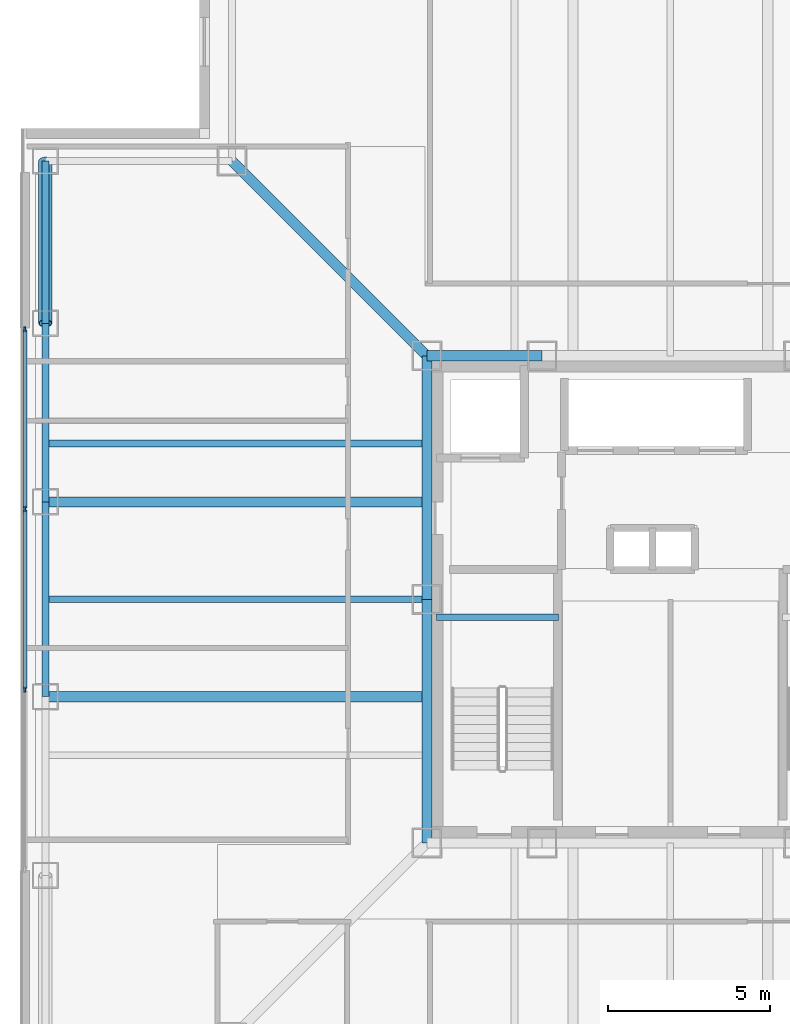
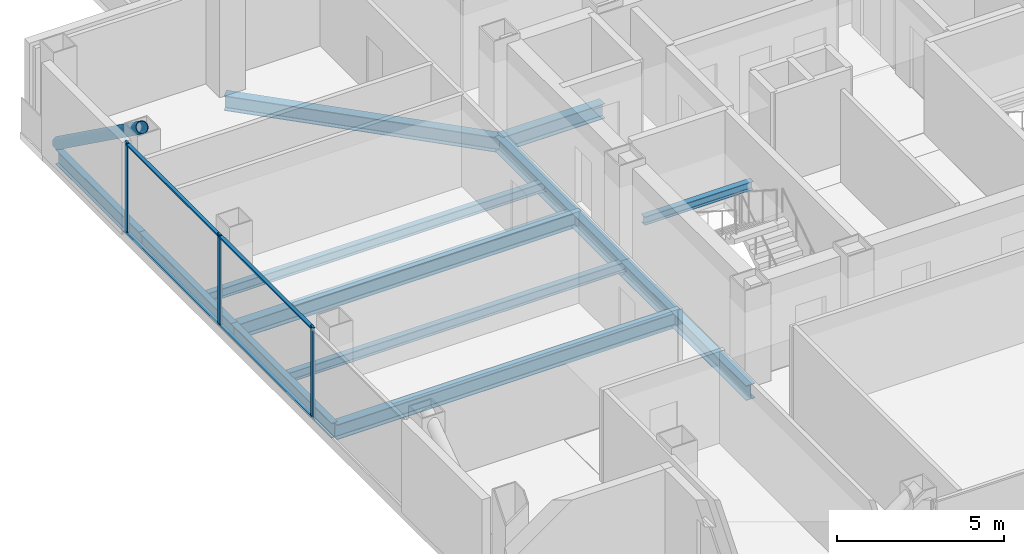
# One storey, part 4 of 16: 12 beams, 8 members, 1 element without a shape of its own.
"""IFC4 building model written with IfcOpenShell, lengths in metres."""

import ifcopenshell
import ifcopenshell.guid

model = None  # the IFC model being written
_history = None  # IfcOwnerHistory: only IFC2X3 demands one
_inside = {}  # id of a spatial element -> (the spatial element, [elements in it])
_under = {}  # id of a project, library or spatial element -> (it, [spatial elements below it])
_declared = {}  # id of a project -> (the project, [libraries it declares])
_typed = {}  # id of a type object -> (the type object, [elements of that type])
_made_of = {}  # id of a material, layer set ... -> (it, [elements and type objects made of it])


def new_model(schema):
    """Start an empty IFC model of exactly this schema.

    Asked for "IFC4X3", IfcOpenShell would pick the latest addendum, in which some entities
    have other attributes; the version numbers below select the first issue.
    IFC2X3 requires an IfcOwnerHistory on every rooted entity: one is made here for all.
    """
    global model, _history
    if schema == "IFC4X3":
        model = ifcopenshell.file(schema_version=(4, 3, 0, 0))
    else:
        model = ifcopenshell.file(schema=schema)
    _inside.clear()
    _under.clear()
    _declared.clear()
    _typed.clear()
    _made_of.clear()
    _history = None
    if model.schema == "IFC2X3":
        org = make("IfcOrganization", Name="unknown")
        user = make(
            "IfcPersonAndOrganization",
            ThePerson=make("IfcPerson", FamilyName="unknown"),
            TheOrganization=org,
        )
        app = make(
            "IfcApplication",
            ApplicationDeveloper=org,
            Version="unknown",
            ApplicationFullName="unknown",
            ApplicationIdentifier="unknown",
        )
        _history = make(
            "IfcOwnerHistory",
            OwningUser=user,
            OwningApplication=app,
            ChangeAction="ADDED",
            CreationDate=0,
        )
    return model


def make(cls, **values):
    """One entity of the class cls with the attributes given. An attribute that is None is left unset."""
    return model.create_entity(
        cls, **{name: value for name, value in values.items() if value is not None}
    )


def rooted(cls, **values):
    """An entity with a GlobalId (a new one), such as an element, a storey or a relation."""
    return make(cls, GlobalId=ifcopenshell.guid.new(), OwnerHistory=_history, **values)


def si_unit(unit_type, name, prefix=None):
    """IfcSIUnit, for example si_unit("LENGTHUNIT", "METRE", prefix="MILLI")."""
    return make("IfcSIUnit", UnitType=unit_type, Prefix=prefix, Name=name)


def assignment(units):
    """IfcUnitAssignment: the units of a project."""
    return None if units is None else make("IfcUnitAssignment", Units=units)


def point(xyz):
    """IfcCartesianPoint."""
    return None if xyz is None else make("IfcCartesianPoint", Coordinates=xyz)


def direction(xyz):
    """IfcDirection."""
    return None if xyz is None else make("IfcDirection", DirectionRatios=xyz)


def frame(location, z_axis=None, x_axis=None):
    """IfcAxis2Placement3D, a coordinate frame: its origin and axes. An axis left out is left unset."""
    return make(
        "IfcAxis2Placement3D",
        Location=point(location),
        Axis=direction(z_axis),
        RefDirection=direction(x_axis),
    )


def frame_2d(location, x_axis=None):
    """IfcAxis2Placement2D, a coordinate frame in the plane: its origin and x axis."""
    return make(
        "IfcAxis2Placement2D", Location=point(location), RefDirection=direction(x_axis)
    )


def origin():
    """The frame at (0, 0, 0) with its axes left unset."""
    return frame((0.0, 0.0, 0.0))


def origin_2d():
    """The frame at (0, 0) in the plane with its x axis left unset."""
    return frame_2d((0.0, 0.0))


def place(relative_to, where):
    """IfcLocalPlacement: puts the frame where relative to a parent placement (None: the world)."""
    return make(
        "IfcLocalPlacement", PlacementRelTo=relative_to, RelativePlacement=where
    )


def context(
    kind, dimensions, precision=None, world=None, true_north=None, identifier=None
):
    """IfcGeometricRepresentationContext, for example the 3D "Model" context."""
    return make(
        "IfcGeometricRepresentationContext",
        ContextIdentifier=identifier,
        ContextType=kind,
        CoordinateSpaceDimension=dimensions,
        Precision=precision,
        WorldCoordinateSystem=world,
        TrueNorth=true_north,
    )


def subcontext(parent, identifier, kind, view, scale=None):
    """IfcGeometricRepresentationSubContext, for example "Body" below "Model"."""
    return make(
        "IfcGeometricRepresentationSubContext",
        ContextIdentifier=identifier,
        ContextType=kind,
        ParentContext=parent,
        TargetScale=scale,
        TargetView=view,
    )


def project(units=None, contexts=None):
    """IfcProject with its units and contexts."""
    return rooted(
        "IfcProject",
        Name="project",
        RepresentationContexts=contexts,
        UnitsInContext=assignment(units),
    )


def spatial(cls, under=None, at=None, **own):
    """A site, building, storey or space (cls), placed at a placement, below another one or the project."""
    s = rooted(cls, ObjectPlacement=at, **own)
    if under is not None:
        _under.setdefault(under.id(), (under, []))[1].append(s)
    return s


def profile(cls, at=None, kind="AREA", **sizes):
    """A parametric profile (cls). Its sizes go by their IFC names, for example OverallWidth=200.0."""
    return make(cls, ProfileType=kind, Position=at, **sizes)


def rectangle(**sizes):
    """IfcRectangleProfileDef."""
    return profile("IfcRectangleProfileDef", **sizes)


def hollow_circle(**sizes):
    """IfcCircleHollowProfileDef."""
    return profile("IfcCircleHollowProfileDef", **sizes)


def i_section(**sizes):
    """IfcIShapeProfileDef."""
    return profile("IfcIShapeProfileDef", **sizes)


def extrude(swept, where, along, depth):
    """IfcExtrudedAreaSolid: the profile swept, set in the frame where, extruded along a direction by depth."""
    return make(
        "IfcExtrudedAreaSolid",
        SweptArea=swept,
        Position=where,
        ExtrudedDirection=direction(along),
        Depth=depth,
    )


def shape(context_of_items, identifier, shape_type, items):
    """IfcShapeRepresentation: the items that make up one representation, for example the "Body"."""
    return make(
        "IfcShapeRepresentation",
        ContextOfItems=context_of_items,
        RepresentationIdentifier=identifier,
        RepresentationType=shape_type,
        Items=items,
    )


def material(Name=None, Category=None):
    """IfcMaterial."""
    return make("IfcMaterial", Name=Name, Category=Category)


def layer(
    of_material, thickness, ventilated=None, Name=None, Category=None, Priority=None
):
    """IfcMaterialLayer: one layer of a wall or slab, of a material (None: an air gap)."""
    return make(
        "IfcMaterialLayer",
        Material=of_material,
        LayerThickness=thickness,
        IsVentilated=ventilated,
        Name=Name,
        Category=Category,
        Priority=Priority,
    )


def layer_set(layers, Name=None):
    """IfcMaterialLayerSet."""
    return make("IfcMaterialLayerSet", MaterialLayers=layers, LayerSetName=Name)


def material_profile(
    of_material, cross_section, Name=None, Category=None, Priority=None
):
    """IfcMaterialProfile: a cross section and its material."""
    return make(
        "IfcMaterialProfile",
        Name=Name,
        Material=of_material,
        Profile=cross_section,
        Priority=Priority,
        Category=Category,
    )


def profile_set(profiles, Name=None, composite=None):
    """IfcMaterialProfileSet."""
    return make(
        "IfcMaterialProfileSet",
        Name=Name,
        MaterialProfiles=profiles,
        CompositeProfile=composite,
    )


def made_of(thing, what):
    """Note that an element or type object is made of a material, layer set ...; save() writes the relation."""
    if what is not None:
        _made_of.setdefault(what.id(), (what, []))[1].append(thing)
    return thing


def type_object(cls, material=None, **own):
    """A type object (cls), such as IfcWallType, which elements share."""
    return made_of(rooted(cls, **own), material)


def element(
    cls,
    number,
    at=None,
    inside=None,
    cuts=None,
    type_object=None,
    material=None,
    context=None,
    identifier="Body",
    shape_type=None,
    held_by="IfcProductDefinitionShape",
    body=None,
    shapes=None,
    **own,
):
    """One element of the class cls, such as IfcWall. Its Tag is "e" and its number.

    at: its placement. inside: the storey or other place that contains it. cuts: it is an
    opening in that element (IfcRelVoidsElement). A single representation is given by context,
    identifier, shape_type and body (its items); several are given by shapes. held_by: the class
    of the entity that holds the representations. save() writes the other relations.
    """
    e = rooted(cls, Tag="e%d" % number, ObjectPlacement=at, **own)
    if body is not None:
        shapes = [shape(context, identifier, shape_type, body)]
    if shapes is not None:
        e.Representation = make(held_by, Representations=shapes)
    if inside is not None:
        _inside.setdefault(inside.id(), (inside, []))[1].append(e)
    if cuts is not None:
        rooted(
            "IfcRelVoidsElement", RelatingBuildingElement=cuts, RelatedOpeningElement=e
        )
    if type_object is not None:
        _typed.setdefault(type_object.id(), (type_object, []))[1].append(e)
    return made_of(e, material)


def aggregate(whole, parts):
    """IfcRelAggregates: a whole, such as a stair, and the parts it consists of."""
    return rooted("IfcRelAggregates", RelatingObject=whole, RelatedObjects=parts)


def save(model, path):
    """Write the relations noted so far, then the file.

    IfcRelAggregates (storeys below a building ...), IfcRelContainedInSpatialStructure (elements
    in a storey), IfcRelDefinesByType, IfcRelAssociatesMaterial and IfcRelDeclares: one each for
    every whole, place, type object, material and project.
    """
    for whole, parts in _under.values():
        aggregate(whole, parts)
    for where, things in _inside.values():
        rooted(
            "IfcRelContainedInSpatialStructure",
            RelatedElements=things,
            RelatingStructure=where,
        )
    for kind, things in _typed.values():
        rooted("IfcRelDefinesByType", RelatedObjects=things, RelatingType=kind)
    for what, things in _made_of.values():
        rooted("IfcRelAssociatesMaterial", RelatedObjects=things, RelatingMaterial=what)
    for by, libraries in _declared.values():
        rooted("IfcRelDeclares", RelatingContext=by, RelatedDefinitions=libraries)
    model.write(path)


model = new_model("IFC4")

# Units and contexts
model_context = context("Model", 3, precision=1e-05, world=origin(), true_north=direction((0.0, 1.0)))
body_context = subcontext(model_context, "Body", "Model", "MODEL_VIEW")
ifc_project = project(units=[si_unit("LENGTHUNIT", "METRE"), si_unit("AREAUNIT", "SQUARE_METRE"), si_unit("VOLUMEUNIT", "CUBIC_METRE"), si_unit("PLANEANGLEUNIT", "RADIAN"), si_unit("MASSUNIT", "GRAM", prefix="KILO")], contexts=[model_context])

# Site, building, storey
site_placement = place(None, origin())
site = spatial("IfcSite", under=ifc_project, at=site_placement, CompositionType="ELEMENT")
building_placement = place(site_placement, origin())
building = spatial("IfcBuilding", under=site, at=building_placement, Name="Trevonay Congress Spire", CompositionType="ELEMENT")
storey_placement = place(building_placement, frame((0.0, 0.0, 202.199951171875)))
storey = spatial("IfcBuildingStorey", under=building, at=storey_placement, Name="L52", CompositionType="ELEMENT", Elevation=202.199951171875)

# Beams
ifc_material_1 = material(Name="Steel ASTM A572 Grade 50", Category="steel")
ifc_material_profile_1 = material_profile(ifc_material_1, i_section(OverallWidth=0.31201171875, OverallDepth=0.54296875, WebThickness=0.0126953125, FlangeThickness=0.020263671875, FilletRadius=0.014892578125, at=origin_2d()), Name="W530x150")
ifc_profile_set_1 = profile_set([ifc_material_profile_1], Name="Steel ASTM A572 Grade 50")
beam_type_1 = type_object("IfcBeamType", Name="BM-GIRD-W530X150", PredefinedType="BEAM", material=ifc_profile_set_1)
beam_1_placement = place(storey_placement, frame((-7.5, 7.5, -0.511474609375), z_axis=(1.0, 0.0, 0.0), x_axis=(0.0, 1.0, 0.0)))
element("IfcBeam", 1, at=beam_1_placement, inside=storey, type_object=beam_type_1, Name="L52 structural beam BM-L52-CR-N1", PredefinedType="BEAM", context=body_context, shape_type="SweptSolid", body=[
    extrude(i_section(OverallWidth=0.31201171875, OverallDepth=0.54296875, WebThickness=0.0126953125, FlangeThickness=0.020263671875, FilletRadius=0.014892578125, at=origin_2d()), origin(), (0.0, 0.0, 1.0), 3.550048828125),
])
for number, where, z_axis, x_axis, name in (
    (2, (-7.5, -7.5, -0.511474609375), (0.0, 1.0, 0.0), (-1.0, 0.0, 0.0), "L52 structural beam BM-L52-CR-W1"),
    (3, (-7.5, 0.0, -0.511474609375), (0.0, 1.0, 0.0), (-1.0, 0.0, 0.0), "L52 structural beam BM-L52-CR-W2"),
):
    element("IfcBeam", number, at=place(storey_placement, frame(where, z_axis=z_axis, x_axis=x_axis)), inside=storey, type_object=beam_type_1, Name=name, PredefinedType="BEAM", context=body_context, shape_type="SweptSolid", body=[
        extrude(i_section(OverallWidth=0.31201171875, OverallDepth=0.54296875, WebThickness=0.0126953125, FlangeThickness=0.020263671875, FilletRadius=0.014892578125, at=origin_2d()), origin(), (0.0, 0.0, 1.0), 7.5),
    ])
beam_2_placement = place(storey_placement, frame((-7.5, 7.5, -0.511474609375), z_axis=(-0.707106781187, 0.707106781187, 0.0), x_axis=(-0.707106781187, -0.707106781187, 0.0)))
element("IfcBeam", 4, at=beam_2_placement, inside=storey, type_object=beam_type_1, Name="L52 structural beam BM-L52-CDNW", PredefinedType="BEAM", context=body_context, shape_type="SweptSolid", body=[
    extrude(i_section(OverallWidth=0.31201171875, OverallDepth=0.54296875, WebThickness=0.0126953125, FlangeThickness=0.020263671875, FilletRadius=0.014892578125, at=origin_2d()), origin(), (0.0, 0.0, 1.0), 8.4853515625),
])
for number, where, z_axis, x_axis, name in (
    (5, (-7.5, -3.0, -0.511474609375), (-1.0, 0.0, 0.0), (0.0, -1.0, 0.0), "L52 structural beam BM-L52-GW-M"),
    (6, (-7.5, 3.0, -0.511474609375), (-1.0, 0.0, 0.0), (0.0, -1.0, 0.0), "L52 structural beam BM-L52-GW-P"),
):
    element("IfcBeam", number, at=place(storey_placement, frame(where, z_axis=z_axis, x_axis=x_axis)), inside=storey, type_object=beam_type_1, Name=name, PredefinedType="BEAM", context=body_context, shape_type="SweptSolid", body=[
        extrude(i_section(OverallWidth=0.31201171875, OverallDepth=0.54296875, WebThickness=0.0126953125, FlangeThickness=0.020263671875, FilletRadius=0.014892578125, at=origin_2d()), origin(), (0.0, 0.0, 1.0), 11.75),
    ])
ifc_material_profile_2 = material_profile(ifc_material_1, i_section(OverallWidth=0.2119140625, OverallDepth=0.5439453125, WebThickness=0.01318359375, FlangeThickness=0.021240234375, FilletRadius=0.014892578125, at=origin_2d()), Name="W530x123")
ifc_profile_set_2 = profile_set([ifc_material_profile_2], Name="Steel ASTM A572 Grade 50")
beam_type_2 = type_object("IfcBeamType", Name="BM-RING-W530X123", PredefinedType="BEAM", material=ifc_profile_set_2)
beam_3_placement = place(storey_placement, frame((-19.25, -3.0, -0.511962890625), z_axis=(0.0, 1.0, 0.0), x_axis=(-1.0, 0.0, 0.0)))
element("IfcBeam", 7, at=beam_3_placement, inside=storey, type_object=beam_type_2, Name="L52 structural beam BM-L52-PW3", PredefinedType="BEAM", context=body_context, shape_type="SweptSolid", body=[
    extrude(i_section(OverallWidth=0.2119140625, OverallDepth=0.5439453125, WebThickness=0.01318359375, FlangeThickness=0.021240234375, FilletRadius=0.014892578125, at=origin_2d()), origin(), (0.0, 0.0, 1.0), 6.0),
])
beam_4_placement = place(storey_placement, frame((-19.25, 3.0, -0.511962890625), z_axis=(0.0, 1.0, 0.0), x_axis=(-1.0, 0.0, 0.0)))
element("IfcBeam", 8, at=beam_4_placement, inside=storey, type_object=beam_type_2, Name="L52 structural beam BM-L52-PW4", PredefinedType="BEAM", context=body_context, shape_type="SweptSolid", body=[
    extrude(i_section(OverallWidth=0.2119140625, OverallDepth=0.5439453125, WebThickness=0.01318359375, FlangeThickness=0.021240234375, FilletRadius=0.014892578125, at=origin_2d()), origin(), (0.0, 0.0, 1.0), 5.5),
])
beam_5_placement = place(storey_placement, frame((-19.25, 8.5, -0.511962890625), z_axis=(0.0, 1.0, 0.0), x_axis=(-1.0, 0.0, 0.0)))
element("IfcBeam", 9, at=beam_5_placement, inside=storey, type_object=beam_type_2, Name="L52 structural beam BM-L52-PW5", PredefinedType="BEAM", context=body_context, shape_type="SweptSolid", body=[
    extrude(i_section(OverallWidth=0.2119140625, OverallDepth=0.5439453125, WebThickness=0.01318359375, FlangeThickness=0.021240234375, FilletRadius=0.014892578125, at=origin_2d()), origin(), (0.0, 0.0, 1.0), 5.0),
])

# Curtain wall, members
ifc_material_2 = material(Name="Pale Anodised Aluminium EN AW-6063-T6", Category="aluminium")
ifc_layer = layer(ifc_material_2, 0.169921875, Name="Pale Anodised Aluminium EN AW-6063-T6")
ifc_layer_set = layer_set([ifc_layer], Name="Pale Anodised Aluminium EN AW-6063-T6")
curtain_wall_type = type_object("IfcCurtainWallType", Name="CW-SYS04-CORP-PALE-METAL", PredefinedType="NOTDEFINED", material=ifc_layer_set)
curtain_wall_placement = place(storey_placement, origin())
curtain_wall = element("IfcCurtainWall", 10, at=curtain_wall_placement, inside=storey, type_object=curtain_wall_type, Name="L52 W unitised curtain wall", PredefinedType="NOTDEFINED")
ifc_material_profile_3 = material_profile(ifc_material_2, rectangle(XDim=0.06005859375, YDim=0.159912109375, at=origin_2d()), Name="CW-MULLION-160-ALUMINIUM")
ifc_profile_set_3 = profile_set([ifc_material_profile_3], Name="Pale Anodised Aluminium EN AW-6063-T6")
member_type_1 = type_object("IfcMemberType", Name="CW-MULLION-160-ALUMINIUM", PredefinedType="MULLION", material=ifc_profile_set_3)
member_1_placement = place(storey_placement, frame((-19.8798828125, -2.783447265625, 0.0), z_axis=(0.0, 0.0, 1.0), x_axis=(-1.0, 0.0, 0.0)))
member_1 = element("IfcMember", 11, at=member_1_placement, type_object=member_type_1, Name="CW04 mullion 2", PredefinedType="MULLION", context=body_context, shape_type="SweptSolid", body=[
    extrude(rectangle(XDim=0.06005859375, YDim=0.159912109375, at=origin_2d()), origin(), (0.0, 0.0, 1.0), 3.360107421875),
])
member_2_placement = place(storey_placement, frame((-19.8798828125, 2.783447265625, 0.0), z_axis=(0.0, 0.0, 1.0), x_axis=(-1.0, 0.0, 0.0)))
member_2 = element("IfcMember", 12, at=member_2_placement, type_object=member_type_1, Name="CW04 mullion 3", PredefinedType="MULLION", context=body_context, shape_type="SweptSolid", body=[
    extrude(rectangle(XDim=0.06005859375, YDim=0.159912109375, at=origin_2d()), origin(), (0.0, 0.0, 1.0), 3.360107421875),
])
member_3_placement = place(storey_placement, frame((-19.8798828125, 8.320068359375, 0.0), z_axis=(0.0, 0.0, 1.0), x_axis=(-1.0, 0.0, 0.0)))
member_3 = element("IfcMember", 13, at=member_3_placement, type_object=member_type_1, Name="CW04 mullion 4", PredefinedType="MULLION", context=body_context, shape_type="SweptSolid", body=[
    extrude(rectangle(XDim=0.06005859375, YDim=0.159912109375, at=origin_2d()), origin(), (0.0, 0.0, 1.0), 3.360107421875),
])
ifc_material_profile_4 = material_profile(ifc_material_2, rectangle(XDim=0.1201171875, YDim=0.06005859375, at=origin_2d()), Name="CW-TRANSOM-120-ALUMINIUM")
ifc_profile_set_4 = profile_set([ifc_material_profile_4], Name="Pale Anodised Aluminium EN AW-6063-T6")
member_type_2 = type_object("IfcMemberType", Name="CW-TRANSOM-120-ALUMINIUM", PredefinedType="USERDEFINED", material=ifc_profile_set_4)
member_4_placement = place(storey_placement, frame((-19.8798828125, -2.75341796875, 0.06005859375), z_axis=(0.0, 1.0, 0.0), x_axis=(-1.0, 0.0, 0.0)))
member_4 = element("IfcMember", 14, at=member_4_placement, type_object=member_type_2, Name="CW04 transom 2.1", ObjectType="TRANSOM", PredefinedType="USERDEFINED", context=body_context, shape_type="SweptSolid", body=[
    extrude(rectangle(XDim=0.1201171875, YDim=0.06005859375, at=origin_2d()), origin(), (0.0, 0.0, 1.0), 5.5068359375),
])
member_5_placement = place(storey_placement, frame((-19.8798828125, -2.75341796875, 3.300048828125), z_axis=(0.0, 1.0, 0.0), x_axis=(-1.0, 0.0, 0.0)))
member_5 = element("IfcMember", 15, at=member_5_placement, type_object=member_type_2, Name="CW04 transom 2.2", ObjectType="TRANSOM", PredefinedType="USERDEFINED", context=body_context, shape_type="SweptSolid", body=[
    extrude(rectangle(XDim=0.1201171875, YDim=0.06005859375, at=origin_2d()), origin(), (0.0, 0.0, 1.0), 5.5068359375),
])
member_6_placement = place(storey_placement, frame((-19.8798828125, 2.813232421875, 0.06005859375), z_axis=(0.0, 1.0, 0.0), x_axis=(-1.0, 0.0, 0.0)))
member_6 = element("IfcMember", 16, at=member_6_placement, type_object=member_type_2, Name="CW04 transom 3.1", ObjectType="TRANSOM", PredefinedType="USERDEFINED", context=body_context, shape_type="SweptSolid", body=[
    extrude(rectangle(XDim=0.1201171875, YDim=0.06005859375, at=origin_2d()), origin(), (0.0, 0.0, 1.0), 5.476806640625),
])
member_7_placement = place(storey_placement, frame((-19.8798828125, 2.813232421875, 3.300048828125), z_axis=(0.0, 1.0, 0.0), x_axis=(-1.0, 0.0, 0.0)))
member_7 = element("IfcMember", 17, at=member_7_placement, type_object=member_type_2, Name="CW04 transom 3.2", ObjectType="TRANSOM", PredefinedType="USERDEFINED", context=body_context, shape_type="SweptSolid", body=[
    extrude(rectangle(XDim=0.1201171875, YDim=0.06005859375, at=origin_2d()), origin(), (0.0, 0.0, 1.0), 5.476806640625),
])
aggregate(curtain_wall, [member_1, member_2, member_3, member_4, member_5, member_6, member_7])

# Beams
ifc_material_profile_5 = material_profile(ifc_material_1, i_section(OverallWidth=0.205078125, OverallDepth=0.35400390625, WebThickness=0.009521484375, FlangeThickness=0.016845703125, FilletRadius=0.011962890625, at=origin_2d()), Name="W360x79")
ifc_profile_set_5 = profile_set([ifc_material_profile_5], Name="Steel ASTM A572 Grade 50")
beam_type_3 = type_object("IfcBeamType", Name="JS-COMP-W360X79", PredefinedType="JOIST", material=ifc_profile_set_5)
for number, where, z_axis, x_axis, name in (
    (18, (-19.25, 0.0, -0.4169921875), (1.0, 0.0, 0.0), (0.0, 1.0, 0.0), "L52 structural beam JS-L52-EW-W2"),
    (19, (-19.25, 4.800048828125, -0.4169921875), (1.0, 0.0, 0.0), (0.0, 1.0, 0.0), "L52 structural beam JS-L52-EW-W3"),
):
    element("IfcBeam", number, at=place(storey_placement, frame(where, z_axis=z_axis, x_axis=x_axis)), inside=storey, type_object=beam_type_3, Name=name, PredefinedType="JOIST", context=body_context, shape_type="SweptSolid", body=[
        extrude(i_section(OverallWidth=0.205078125, OverallDepth=0.35400390625, WebThickness=0.009521484375, FlangeThickness=0.016845703125, FilletRadius=0.011962890625, at=origin_2d()), origin(), (0.0, 0.0, 1.0), 11.75),
    ])
ifc_material_profile_6 = material_profile(ifc_material_1, i_section(OverallWidth=0.2041015625, OverallDepth=0.305908203125, WebThickness=0.008544921875, FlangeThickness=0.0146484375, FilletRadius=0.010986328125, at=origin_2d()), Name="W310x67")
ifc_profile_set_6 = profile_set([ifc_material_profile_6], Name="Steel ASTM A572 Grade 50")
beam_type_4 = type_object("IfcBeamType", Name="LN-CORE-W310X67", PredefinedType="LINTEL", material=ifc_profile_set_6)
beam_6_placement = place(storey_placement, frame((-7.199951171875, -0.550048828125, 1.447021484375), z_axis=(1.0, 0.0, 0.0), x_axis=(0.0, 1.0, 0.0)))
element("IfcBeam", 20, at=beam_6_placement, inside=storey, type_object=beam_type_4, Name="L52 structural beam BM-L52-HL-ST1", PredefinedType="LINTEL", context=body_context, shape_type="SweptSolid", body=[
    extrude(i_section(OverallWidth=0.2041015625, OverallDepth=0.305908203125, WebThickness=0.008544921875, FlangeThickness=0.0146484375, FilletRadius=0.010986328125, at=origin_2d()), origin(), (0.0, 0.0, 1.0), 3.75),
])

# Member
ifc_material_3 = material(Name="Steel ASTM A500 Grade C", Category="steel")
ifc_material_profile_7 = material_profile(ifc_material_3, hollow_circle(Radius=0.203125, WallThickness=0.02001953125, at=origin_2d()), Name="CHS 406.4x20")
ifc_profile_set_7 = profile_set([ifc_material_profile_7], Name="Steel ASTM A500 Grade C")
member_type_3 = type_object("IfcMemberType", Name="MBR-TUBE-CHS406", PredefinedType="BRACE", material=ifc_profile_set_7)
member_8_placement = place(storey_placement, frame((-19.25, 13.5, -0.050048828125), z_axis=(0.0, -0.811526825515, 0.584315164504), x_axis=(1.0, 0.0, 0.0)))
element("IfcMember", 21, at=member_8_placement, inside=storey, type_object=member_type_3, Name="L52 perimeter braced-tube diagonal W4", PredefinedType="BRACE", context=body_context, shape_type="SweptSolid", body=[
    extrude(hollow_circle(Radius=0.203125, WallThickness=0.02001953125, at=origin_2d()), origin(), (0.0, 0.0, 1.0), 6.1611328125),
])

save(model, "model.ifc")
